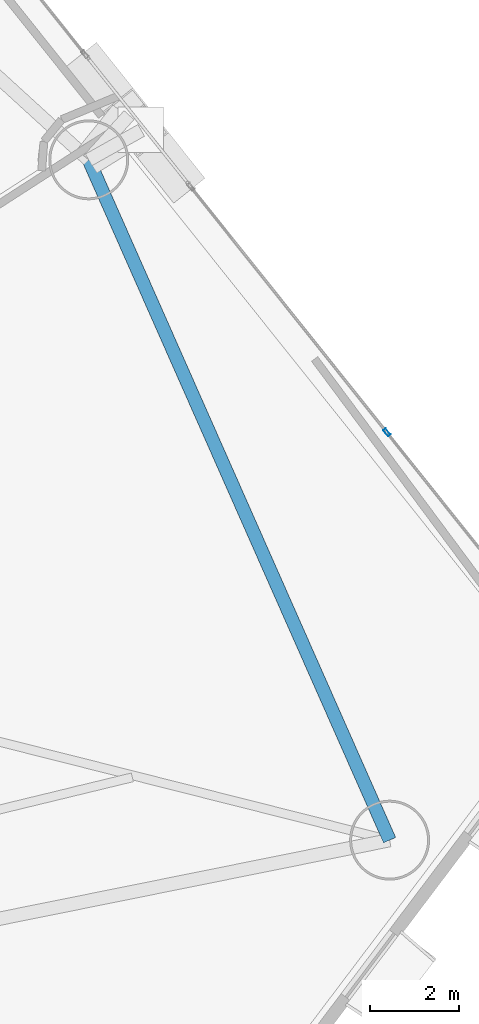
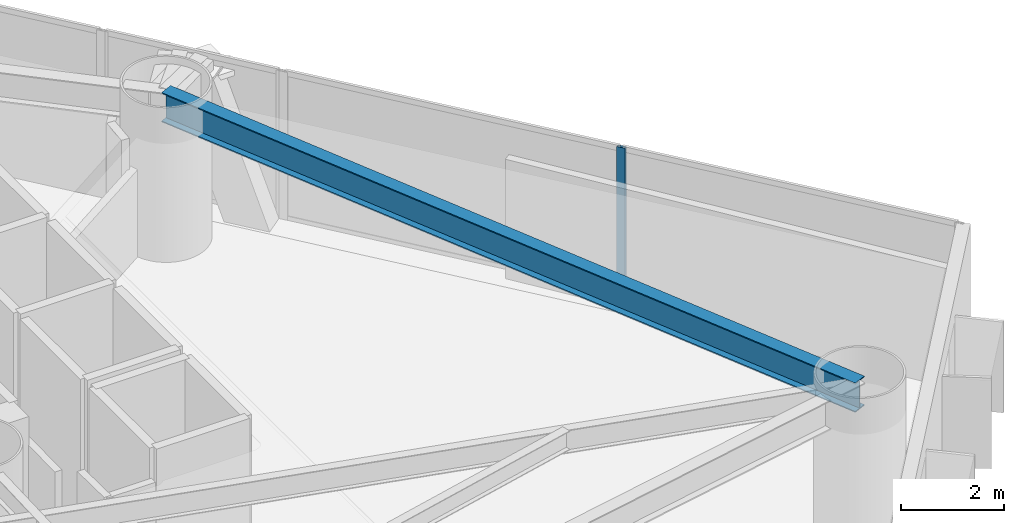
# One storey, part 13 of 23: 1 beam, 1 member, 1 element without a shape of its own.
"""IFC4 building model written with IfcOpenShell, lengths in metres."""

from ifc_helpers import new_model, si_unit, direction, frame, origin, origin_2d, place, context, subcontext, project, spatial, hollow_rectangle, i_section, extrude, material, layer, layer_set, material_profile, profile_set, type_object, element, aggregate, save


model = new_model("IFC4")

# Units and contexts
model_context = context("Model", 3, precision=1e-05, world=origin(), true_north=direction((0.0, 1.0)))
body_context = subcontext(model_context, "Body", "Model", "MODEL_VIEW")
ifc_project = project(units=[si_unit("LENGTHUNIT", "METRE"), si_unit("AREAUNIT", "SQUARE_METRE"), si_unit("VOLUMEUNIT", "CUBIC_METRE"), si_unit("PLANEANGLEUNIT", "RADIAN"), si_unit("MASSUNIT", "GRAM", prefix="KILO")], contexts=[model_context])

# Site, building, storey
site_placement = place(None, origin())
site = spatial("IfcSite", under=ifc_project, at=site_placement, CompositionType="ELEMENT")
building_placement = place(site_placement, origin())
building = spatial("IfcBuilding", under=site, at=building_placement, Name="Qianvela Tower", CompositionType="ELEMENT")
storey_placement = place(building_placement, frame((0.0, 0.0, 36.800048828125)))
storey = spatial("IfcBuildingStorey", under=building, at=storey_placement, Name="L08", CompositionType="ELEMENT", Elevation=36.800048828125)

# Beam
ifc_material_1 = material(Name="Steel Q355B", Category="steel")
ifc_material_profile_1 = material_profile(ifc_material_1, i_section(OverallWidth=0.300048828125, OverallDepth=0.699951171875, WebThickness=0.012939453125, FlangeThickness=0.02392578125, at=origin_2d()), Name="HN700x300x13x24")
ifc_profile_set_1 = profile_set([ifc_material_profile_1], Name="Steel Q355B")
beam_type = type_object("IfcBeamType", Name="BM-HN700-SPAND", PredefinedType="SPANDREL", material=ifc_profile_set_1)
beam_placement = place(storey_placement, frame((54.511962890625, 17.31689453125, 3.16796875), z_axis=(-0.404490777912, 0.914542076989, 0.0), x_axis=(-0.914542076989, -0.404490777912, 0.0)))
element("IfcBeam", 1, at=beam_placement, inside=storey, type_object=beam_type, Name="L08 Perimeter Ring Spandrel Girder 1", PredefinedType="SPANDREL", context=body_context, shape_type="SweptSolid", body=[
    extrude(i_section(OverallWidth=0.300048828125, OverallDepth=0.699951171875, WebThickness=0.012939453125, FlangeThickness=0.02392578125, at=origin_2d()), origin(), (0.0, 0.0, 1.0), 16.751708984375),
])

# Curtain wall, member
ifc_material_2 = material(Name="Anodised Architectural Aluminium and Low-E Glass", Category="aluminium")
ifc_layer = layer(ifc_material_2, 0.179931640625)
ifc_layer_set = layer_set([ifc_layer], Name="Anodised Architectural Aluminium and Low-E Glass")
curtain_wall_type = type_object("IfcCurtainWallType", Name="CW-COLIV-Z12", PredefinedType="USERDEFINED", material=ifc_layer_set)
curtain_wall_placement = place(storey_placement, origin())
curtain_wall = element("IfcCurtainWall", 2, at=curtain_wall_placement, inside=storey, type_object=curtain_wall_type, Name="L08 CW-COLIV-Z12 Curtain Wall 02A", ObjectType="CURTAIN_WALL_SYSTEM", PredefinedType="USERDEFINED")
ifc_material_3 = material(Name="Anodised Architectural Aluminium 6063-T6", Category="aluminium")
ifc_material_profile_2 = material_profile(ifc_material_3, hollow_rectangle(XDim=0.070068359375, YDim=0.179931640625, WallThickness=0.0048828125, at=origin_2d()), Name="ALU-MULL-70x180")
ifc_profile_set_2 = profile_set([ifc_material_profile_2], Name="Anodised Architectural Aluminium 6063-T6")
member_type = type_object("IfcMemberType", Name="CW-COLIV-Z12-MULL", PredefinedType="MULLION", material=ifc_profile_set_2)
member_placement = place(storey_placement, frame((54.44970703125, 26.50146484375, 0.0), z_axis=(0.0, 0.0, 1.0), x_axis=(-0.781444103238, -0.623975250722, 0.0)))
member = element("IfcMember", 3, at=member_placement, type_object=member_type, Name="CW-3 mullion 2", PredefinedType="MULLION", context=body_context, shape_type="SweptSolid", body=[
    extrude(hollow_rectangle(XDim=0.070068359375, YDim=0.179931640625, WallThickness=0.0048828125, at=origin_2d()), origin(), (0.0, 0.0, 1.0), 3.52001953125),
])
aggregate(curtain_wall, [member])

save(model, "model.ifc")
